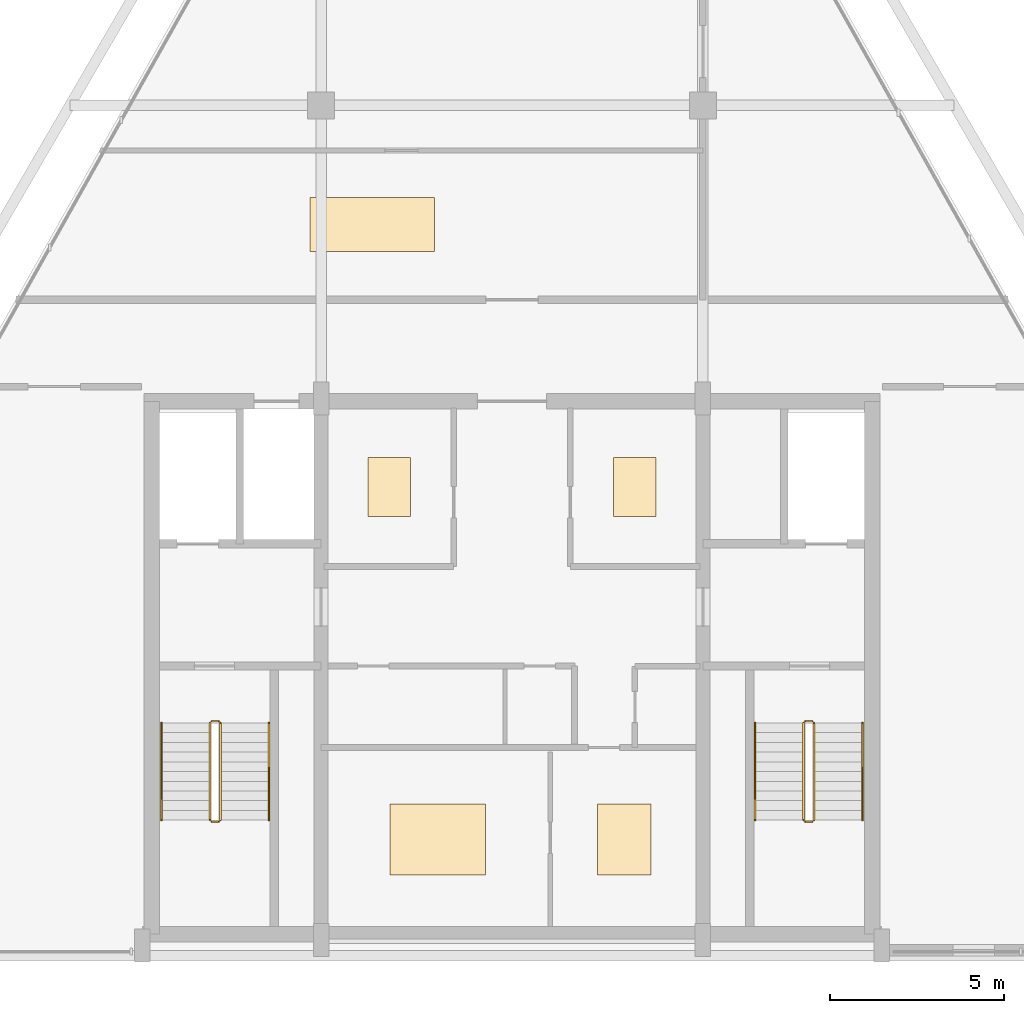
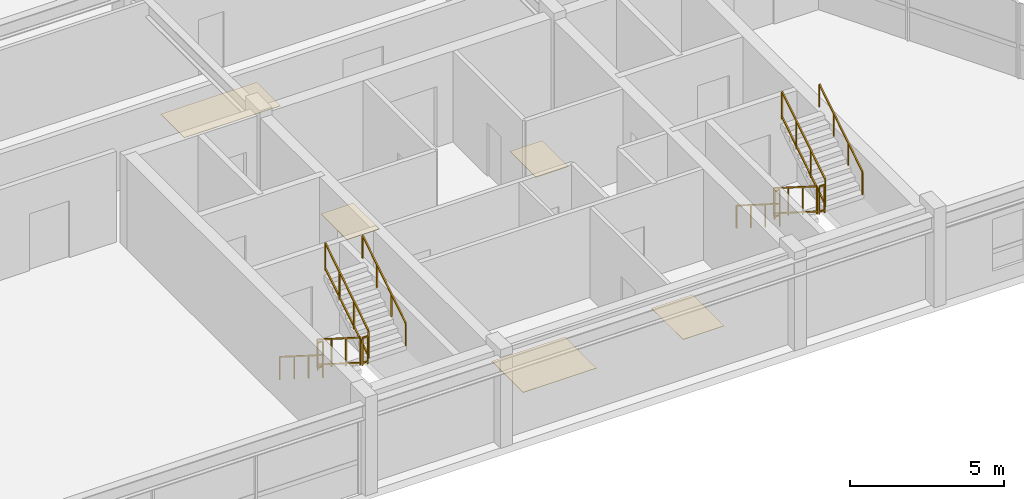
# One storey, part 12 of 12: 12 railings, 5 coverings.
"""IFC4 building model written with IfcOpenShell, lengths in metres."""

from ifc_helpers import new_model, si_unit, direction, frame, origin, origin_2d, place, context, subcontext, project, spatial, rectangle, extrude, source, transform, mapped, material, layer, layer_set, type_object, element, save


model = new_model("IFC4")

# Units and contexts
model_context = context("Model", 3, precision=1e-05, world=origin(), true_north=direction((0.0, 1.0)))
body_context = subcontext(model_context, "Body", "Model", "MODEL_VIEW")
ifc_project = project(units=[si_unit("LENGTHUNIT", "METRE"), si_unit("AREAUNIT", "SQUARE_METRE"), si_unit("VOLUMEUNIT", "CUBIC_METRE"), si_unit("PLANEANGLEUNIT", "RADIAN"), si_unit("MASSUNIT", "GRAM", prefix="KILO")], contexts=[model_context])

# Site, building, storey
site_placement = place(None, origin())
site = spatial("IfcSite", under=ifc_project, at=site_placement, CompositionType="ELEMENT")
building_placement = place(site_placement, origin())
building = spatial("IfcBuilding", under=site, at=building_placement, Name="Varnakhor Terracotta Tower", CompositionType="ELEMENT")
storey_placement = place(building_placement, frame((0.0, 0.0, 325.300048828125)))
storey = spatial("IfcBuildingStorey", under=building, at=storey_placement, Name="L85 Crown", CompositionType="ELEMENT", Elevation=325.300048828125)

# Railings
ifc_material_1 = material(Name="Painted Steel Stairwell Guardrail", Category="steel")
railing_type_1 = type_object("IfcRailingType", Name="RLG-STAIR-GUARD-1120", PredefinedType="GUARDRAIL", material=ifc_material_1)
railing_1_placement = place(storey_placement, frame((-8.699951171875, 6.7099609375, 0.17724609375)))
element("IfcRailing", 1, at=railing_1_placement, inside=storey, type_object=railing_type_1, Name="L85 Crown ST-1 stair guard 1", PredefinedType="GUARDRAIL", context=body_context, shape_type="SweptSolid", body=[
    extrude(rectangle(XDim=0.048095703125, YDim=0.048095703125, at=origin_2d()), frame((0.0, 0.0, 1.09619140625), z_axis=(0.0, -0.844908973607, 0.534910110503), x_axis=(1.0, 0.0, 0.0)), (0.0, 0.0, 1.0), 3.31396484375),
    extrude(rectangle(XDim=0.048095703125, YDim=0.048095703125, at=origin_2d()), frame((0.0, 0.0, 0.10009765625), z_axis=(0.0, -0.844908973607, 0.534910110503), x_axis=(1.0, 0.0, 0.0)), (0.0, 0.0, 1.0), 3.31396484375),
    extrude(rectangle(XDim=0.0419921875, YDim=0.0419921875, at=origin_2d()), origin(), (0.0, 0.0, 1.0), 1.072021484375),
    extrude(rectangle(XDim=0.0419921875, YDim=0.0419921875, at=origin_2d()), frame((0.0, -0.933349609375, 0.5908203125)), (0.0, 0.0, 1.0), 1.072021484375),
    extrude(rectangle(XDim=0.0419921875, YDim=0.0419921875, at=origin_2d()), frame((0.0, -1.86669921875, 1.181884765625)), (0.0, 0.0, 1.0), 1.072021484375),
    extrude(rectangle(XDim=0.0419921875, YDim=0.0419921875, at=origin_2d()), frame((0.0, -2.800048828125, 1.772705078125)), (0.0, 0.0, 1.0), 1.072021484375),
])
railing_2_placement = place(storey_placement, frame((-8.64990234375, 3.860107421875, 1.949951171875)))
element("IfcRailing", 2, at=railing_2_placement, inside=storey, type_object=railing_type_1, Name="L85 Crown ST-1 stair guard 2", PredefinedType="GUARDRAIL", context=body_context, shape_type="SweptSolid", body=[
    extrude(rectangle(XDim=0.048095703125, YDim=0.048095703125, at=origin_2d()), frame((0.0, 0.0, 1.09619140625), z_axis=(1.0, 0.0, 0.0), x_axis=(0.0, 1.0, 0.0)), (0.0, 0.0, 1.0), 0.199951171875),
    extrude(rectangle(XDim=0.048095703125, YDim=0.048095703125, at=origin_2d()), frame((0.0, 0.0, 0.10009765625), z_axis=(1.0, 0.0, 0.0), x_axis=(0.0, 1.0, 0.0)), (0.0, 0.0, 1.0), 0.199951171875),
    extrude(rectangle(XDim=0.0419921875, YDim=0.0419921875, at=origin_2d()), origin(), (0.0, 0.0, 1.0), 1.072021484375),
    extrude(rectangle(XDim=0.0419921875, YDim=0.0419921875, at=origin_2d()), frame((0.199951171875, 0.0, 0.0)), (0.0, 0.0, 1.0), 1.072021484375),
])
railing_3_placement = place(storey_placement, frame((-8.39990234375, 3.909912109375, 2.127197265625)))
element("IfcRailing", 3, at=railing_3_placement, inside=storey, type_object=railing_type_1, Name="L85 Crown ST-1 stair guard 3", PredefinedType="GUARDRAIL", context=body_context, shape_type="SweptSolid", body=[
    extrude(rectangle(XDim=0.048095703125, YDim=0.048095703125, at=origin_2d()), frame((0.0, 0.0, 1.09619140625), z_axis=(0.0, 0.844908973607, 0.534910110503), x_axis=(-1.0, 0.0, 0.0)), (0.0, 0.0, 1.0), 3.31396484375),
    extrude(rectangle(XDim=0.048095703125, YDim=0.048095703125, at=origin_2d()), frame((0.0, 0.0, 0.10009765625), z_axis=(0.0, 0.844908973607, 0.534910110503), x_axis=(-1.0, 0.0, 0.0)), (0.0, 0.0, 1.0), 3.31396484375),
    extrude(rectangle(XDim=0.0419921875, YDim=0.0419921875, at=origin_2d()), origin(), (0.0, 0.0, 1.0), 1.072021484375),
    extrude(rectangle(XDim=0.0419921875, YDim=0.0419921875, at=origin_2d()), frame((0.0, 0.933349609375, 0.5908203125)), (0.0, 0.0, 1.0), 1.072021484375),
    extrude(rectangle(XDim=0.0419921875, YDim=0.0419921875, at=origin_2d()), frame((0.0, 1.86669921875, 1.181884765625)), (0.0, 0.0, 1.0), 1.072021484375),
    extrude(rectangle(XDim=0.0419921875, YDim=0.0419921875, at=origin_2d()), frame((0.0, 2.800048828125, 1.772705078125)), (0.0, 0.0, 1.0), 1.072021484375),
])
railing_4_placement = place(storey_placement, frame((-8.64990234375, 6.760009765625, 0.0)))
element("IfcRailing", 4, at=railing_4_placement, inside=storey, type_object=railing_type_1, Name="L85 Crown ST-1 stair guard 4", PredefinedType="GUARDRAIL", context=body_context, shape_type="SweptSolid", body=[
    extrude(rectangle(XDim=0.048095703125, YDim=0.048095703125, at=origin_2d()), frame((0.0, 0.0, 1.09619140625), z_axis=(1.0, 0.0, 0.0), x_axis=(0.0, 1.0, 0.0)), (0.0, 0.0, 1.0), 0.199951171875),
    extrude(rectangle(XDim=0.048095703125, YDim=0.048095703125, at=origin_2d()), frame((0.0, 0.0, 0.10009765625), z_axis=(1.0, 0.0, 0.0), x_axis=(0.0, 1.0, 0.0)), (0.0, 0.0, 1.0), 0.199951171875),
    extrude(rectangle(XDim=0.0419921875, YDim=0.0419921875, at=origin_2d()), origin(), (0.0, 0.0, 1.0), 1.072021484375),
    extrude(rectangle(XDim=0.0419921875, YDim=0.0419921875, at=origin_2d()), frame((0.199951171875, 0.0, 0.0)), (0.0, 0.0, 1.0), 1.072021484375),
])
railing_5_placement = place(storey_placement, frame((8.39990234375, 6.7099609375, 0.17724609375)))
element("IfcRailing", 5, at=railing_5_placement, inside=storey, type_object=railing_type_1, Name="L85 Crown ST-2 stair guard 1", PredefinedType="GUARDRAIL", context=body_context, shape_type="SweptSolid", body=[
    extrude(rectangle(XDim=0.048095703125, YDim=0.048095703125, at=origin_2d()), frame((0.0, 0.0, 1.09619140625), z_axis=(0.0, -0.844908973607, 0.534910110503), x_axis=(1.0, 0.0, 0.0)), (0.0, 0.0, 1.0), 3.31396484375),
    extrude(rectangle(XDim=0.048095703125, YDim=0.048095703125, at=origin_2d()), frame((0.0, 0.0, 0.10009765625), z_axis=(0.0, -0.844908973607, 0.534910110503), x_axis=(1.0, 0.0, 0.0)), (0.0, 0.0, 1.0), 3.31396484375),
    extrude(rectangle(XDim=0.0419921875, YDim=0.0419921875, at=origin_2d()), origin(), (0.0, 0.0, 1.0), 1.072021484375),
    extrude(rectangle(XDim=0.0419921875, YDim=0.0419921875, at=origin_2d()), frame((0.0, -0.933349609375, 0.5908203125)), (0.0, 0.0, 1.0), 1.072021484375),
    extrude(rectangle(XDim=0.0419921875, YDim=0.0419921875, at=origin_2d()), frame((0.0, -1.86669921875, 1.181884765625)), (0.0, 0.0, 1.0), 1.072021484375),
    extrude(rectangle(XDim=0.0419921875, YDim=0.0419921875, at=origin_2d()), frame((0.0, -2.800048828125, 1.772705078125)), (0.0, 0.0, 1.0), 1.072021484375),
])
railing_6_placement = place(storey_placement, frame((8.449951171875, 3.860107421875, 1.949951171875)))
element("IfcRailing", 6, at=railing_6_placement, inside=storey, type_object=railing_type_1, Name="L85 Crown ST-2 stair guard 2", PredefinedType="GUARDRAIL", context=body_context, shape_type="SweptSolid", body=[
    extrude(rectangle(XDim=0.048095703125, YDim=0.048095703125, at=origin_2d()), frame((0.0, 0.0, 1.09619140625), z_axis=(1.0, 0.0, 0.0), x_axis=(0.0, 1.0, 0.0)), (0.0, 0.0, 1.0), 0.199951171875),
    extrude(rectangle(XDim=0.048095703125, YDim=0.048095703125, at=origin_2d()), frame((0.0, 0.0, 0.10009765625), z_axis=(1.0, 0.0, 0.0), x_axis=(0.0, 1.0, 0.0)), (0.0, 0.0, 1.0), 0.199951171875),
    extrude(rectangle(XDim=0.0419921875, YDim=0.0419921875, at=origin_2d()), origin(), (0.0, 0.0, 1.0), 1.072021484375),
    extrude(rectangle(XDim=0.0419921875, YDim=0.0419921875, at=origin_2d()), frame((0.199951171875, 0.0, 0.0)), (0.0, 0.0, 1.0), 1.072021484375),
])
railing_7_placement = place(storey_placement, frame((8.699951171875, 3.909912109375, 2.127197265625)))
element("IfcRailing", 7, at=railing_7_placement, inside=storey, type_object=railing_type_1, Name="L85 Crown ST-2 stair guard 3", PredefinedType="GUARDRAIL", context=body_context, shape_type="SweptSolid", body=[
    extrude(rectangle(XDim=0.048095703125, YDim=0.048095703125, at=origin_2d()), frame((0.0, 0.0, 1.09619140625), z_axis=(0.0, 0.844908973607, 0.534910110503), x_axis=(-1.0, 0.0, 0.0)), (0.0, 0.0, 1.0), 3.31396484375),
    extrude(rectangle(XDim=0.048095703125, YDim=0.048095703125, at=origin_2d()), frame((0.0, 0.0, 0.10009765625), z_axis=(0.0, 0.844908973607, 0.534910110503), x_axis=(-1.0, 0.0, 0.0)), (0.0, 0.0, 1.0), 3.31396484375),
    extrude(rectangle(XDim=0.0419921875, YDim=0.0419921875, at=origin_2d()), origin(), (0.0, 0.0, 1.0), 1.072021484375),
    extrude(rectangle(XDim=0.0419921875, YDim=0.0419921875, at=origin_2d()), frame((0.0, 0.933349609375, 0.5908203125)), (0.0, 0.0, 1.0), 1.072021484375),
    extrude(rectangle(XDim=0.0419921875, YDim=0.0419921875, at=origin_2d()), frame((0.0, 1.86669921875, 1.181884765625)), (0.0, 0.0, 1.0), 1.072021484375),
    extrude(rectangle(XDim=0.0419921875, YDim=0.0419921875, at=origin_2d()), frame((0.0, 2.800048828125, 1.772705078125)), (0.0, 0.0, 1.0), 1.072021484375),
])
railing_8_placement = place(storey_placement, frame((8.449951171875, 6.760009765625, 0.0)))
element("IfcRailing", 8, at=railing_8_placement, inside=storey, type_object=railing_type_1, Name="L85 Crown ST-2 stair guard 4", PredefinedType="GUARDRAIL", context=body_context, shape_type="SweptSolid", body=[
    extrude(rectangle(XDim=0.048095703125, YDim=0.048095703125, at=origin_2d()), frame((0.0, 0.0, 1.09619140625), z_axis=(1.0, 0.0, 0.0), x_axis=(0.0, 1.0, 0.0)), (0.0, 0.0, 1.0), 0.199951171875),
    extrude(rectangle(XDim=0.048095703125, YDim=0.048095703125, at=origin_2d()), frame((0.0, 0.0, 0.10009765625), z_axis=(1.0, 0.0, 0.0), x_axis=(0.0, 1.0, 0.0)), (0.0, 0.0, 1.0), 0.199951171875),
    extrude(rectangle(XDim=0.0419921875, YDim=0.0419921875, at=origin_2d()), origin(), (0.0, 0.0, 1.0), 1.072021484375),
    extrude(rectangle(XDim=0.0419921875, YDim=0.0419921875, at=origin_2d()), frame((0.199951171875, 0.0, 0.0)), (0.0, 0.0, 1.0), 1.072021484375),
])
ifc_material_2 = material(Name="Brushed Stainless Steel Handrail", Category="steel")
railing_type_2 = type_object("IfcRailingType", Name="RLG-STAIR-HANDRAIL-920", PredefinedType="HANDRAIL", material=ifc_material_2)
railing_9_placement = place(storey_placement, frame((-10.10009765625, 6.7099609375, 0.17724609375)))
element("IfcRailing", 9, at=railing_9_placement, inside=storey, type_object=railing_type_2, Name="L85 Crown ST-1 stair handrail 1", PredefinedType="HANDRAIL", context=body_context, shape_type="SweptSolid", body=[
    extrude(rectangle(XDim=0.048095703125, YDim=0.048095703125, at=origin_2d()), frame((0.0, 0.0, 0.89599609375), z_axis=(0.0, -0.844908973607, 0.534910110503), x_axis=(1.0, 0.0, 0.0)), (0.0, 0.0, 1.0), 3.31396484375),
    extrude(rectangle(XDim=0.0419921875, YDim=0.0419921875, at=origin_2d()), origin(), (0.0, 0.0, 1.0), 0.871826171875),
    extrude(rectangle(XDim=0.0419921875, YDim=0.0419921875, at=origin_2d()), frame((0.0, -0.933349609375, 0.5908203125)), (0.0, 0.0, 1.0), 0.871826171875),
    extrude(rectangle(XDim=0.0419921875, YDim=0.0419921875, at=origin_2d()), frame((0.0, -1.86669921875, 1.181884765625)), (0.0, 0.0, 1.0), 0.871826171875),
    extrude(rectangle(XDim=0.0419921875, YDim=0.0419921875, at=origin_2d()), frame((0.0, -2.800048828125, 1.772705078125)), (0.0, 0.0, 1.0), 0.871826171875),
])
railing_10_placement = place(storey_placement, frame((-7.0, 3.909912109375, 2.127197265625)))
element("IfcRailing", 10, at=railing_10_placement, inside=storey, type_object=railing_type_2, Name="L85 Crown ST-1 stair handrail 2", PredefinedType="HANDRAIL", context=body_context, shape_type="SweptSolid", body=[
    extrude(rectangle(XDim=0.048095703125, YDim=0.048095703125, at=origin_2d()), frame((0.0, 0.0, 0.89599609375), z_axis=(0.0, 0.844908973607, 0.534910110503), x_axis=(-1.0, 0.0, 0.0)), (0.0, 0.0, 1.0), 3.31396484375),
    extrude(rectangle(XDim=0.0419921875, YDim=0.0419921875, at=origin_2d()), origin(), (0.0, 0.0, 1.0), 0.871826171875),
    extrude(rectangle(XDim=0.0419921875, YDim=0.0419921875, at=origin_2d()), frame((0.0, 0.933349609375, 0.5908203125)), (0.0, 0.0, 1.0), 0.871826171875),
    extrude(rectangle(XDim=0.0419921875, YDim=0.0419921875, at=origin_2d()), frame((0.0, 1.86669921875, 1.181884765625)), (0.0, 0.0, 1.0), 0.871826171875),
    extrude(rectangle(XDim=0.0419921875, YDim=0.0419921875, at=origin_2d()), frame((0.0, 2.800048828125, 1.772705078125)), (0.0, 0.0, 1.0), 0.871826171875),
])
railing_11_placement = place(storey_placement, frame((7.0, 6.7099609375, 0.17724609375)))
element("IfcRailing", 11, at=railing_11_placement, inside=storey, type_object=railing_type_2, Name="L85 Crown ST-2 stair handrail 1", PredefinedType="HANDRAIL", context=body_context, shape_type="SweptSolid", body=[
    extrude(rectangle(XDim=0.048095703125, YDim=0.048095703125, at=origin_2d()), frame((0.0, 0.0, 0.89599609375), z_axis=(0.0, -0.844908973607, 0.534910110503), x_axis=(1.0, 0.0, 0.0)), (0.0, 0.0, 1.0), 3.31396484375),
    extrude(rectangle(XDim=0.0419921875, YDim=0.0419921875, at=origin_2d()), origin(), (0.0, 0.0, 1.0), 0.871826171875),
    extrude(rectangle(XDim=0.0419921875, YDim=0.0419921875, at=origin_2d()), frame((0.0, -0.933349609375, 0.5908203125)), (0.0, 0.0, 1.0), 0.871826171875),
    extrude(rectangle(XDim=0.0419921875, YDim=0.0419921875, at=origin_2d()), frame((0.0, -1.86669921875, 1.181884765625)), (0.0, 0.0, 1.0), 0.871826171875),
    extrude(rectangle(XDim=0.0419921875, YDim=0.0419921875, at=origin_2d()), frame((0.0, -2.800048828125, 1.772705078125)), (0.0, 0.0, 1.0), 0.871826171875),
])
railing_12_placement = place(storey_placement, frame((10.10009765625, 3.909912109375, 2.127197265625)))
element("IfcRailing", 12, at=railing_12_placement, inside=storey, type_object=railing_type_2, Name="L85 Crown ST-2 stair handrail 2", PredefinedType="HANDRAIL", context=body_context, shape_type="SweptSolid", body=[
    extrude(rectangle(XDim=0.048095703125, YDim=0.048095703125, at=origin_2d()), frame((0.0, 0.0, 0.89599609375), z_axis=(0.0, 0.844908973607, 0.534910110503), x_axis=(-1.0, 0.0, 0.0)), (0.0, 0.0, 1.0), 3.31396484375),
    extrude(rectangle(XDim=0.0419921875, YDim=0.0419921875, at=origin_2d()), origin(), (0.0, 0.0, 1.0), 0.871826171875),
    extrude(rectangle(XDim=0.0419921875, YDim=0.0419921875, at=origin_2d()), frame((0.0, 0.933349609375, 0.5908203125)), (0.0, 0.0, 1.0), 0.871826171875),
    extrude(rectangle(XDim=0.0419921875, YDim=0.0419921875, at=origin_2d()), frame((0.0, 1.86669921875, 1.181884765625)), (0.0, 0.0, 1.0), 0.871826171875),
    extrude(rectangle(XDim=0.0419921875, YDim=0.0419921875, at=origin_2d()), frame((0.0, 2.800048828125, 1.772705078125)), (0.0, 0.0, 1.0), 0.871826171875),
])

# Coverings
ifc_material_3 = material(Name="Insulated Elastomeric Waterproof Roofing Membrane", Category="other")
ifc_layer = layer(ifc_material_3, 0.034912109375, Name="Insulated Elastomeric Waterproof Roofing Membrane")
ifc_layer_set = layer_set([ifc_layer], Name="Insulated Elastomeric Waterproof Roofing Membrane")
covering_type = type_object("IfcCoveringType", Name="COV-ROOF-MEMBRANE", PredefinedType="ROOFING", material=ifc_layer_set)
shared_shape_1 = source(origin(), body_context, "Body", "SweptSolid", [
    extrude(rectangle(XDim=2.75, YDim=2.041015625, at=origin_2d()), origin(), (0.0, 0.0, 1.0), 0.014892578125),
])
covering_1_placement = place(storey_placement, frame((-2.139892578125, 3.35498046875, 0.0), z_axis=(0.0, 0.0, 1.0), x_axis=(1.0, 0.0, 0.0)))
element("IfcCovering", 13, at=covering_1_placement, inside=storey, type_object=covering_type, Name="L85 Crown Waterproof Plant Membrane 1", PredefinedType="ROOFING", context=body_context, shape_type="MappedRepresentation", body=[
    mapped(shared_shape_1, transform((0.0, 0.0, 0.0), scale=1.0)),
])
shared_shape_2 = source(origin(), body_context, "Body", "SweptSolid", [
    extrude(rectangle(XDim=1.5400390625, YDim=2.041015625, at=origin_2d()), origin(), (0.0, 0.0, 1.0), 0.014892578125),
])
covering_2_placement = place(storey_placement, frame((3.239990234375, 3.35498046875, 0.0), z_axis=(0.0, 0.0, 1.0), x_axis=(1.0, 0.0, 0.0)))
element("IfcCovering", 14, at=covering_2_placement, inside=storey, type_object=covering_type, Name="L85 Crown Waterproof Plant Membrane 2", PredefinedType="ROOFING", context=body_context, shape_type="MappedRepresentation", body=[
    mapped(shared_shape_2, transform((0.0, 0.0, 0.0), scale=1.0)),
])
shared_shape_3 = source(origin(), body_context, "Body", "SweptSolid", [
    extrude(rectangle(XDim=1.215087890625, YDim=1.694091796875, at=origin_2d()), origin(), (0.0, 0.0, 1.0), 0.014892578125),
])
for number, where, z_axis, x_axis, name in (
    (15, (-3.534912109375, 13.510009765625, 0.0), (0.0, 0.0, 1.0), (1.0, 0.0, 0.0), "L85 Crown Waterproof Plant Membrane 3"),
    (16, (3.534912109375, 13.510009765625, 0.0), (0.0, 0.0, 1.0), (1.0, 0.0, 0.0), "L85 Crown Waterproof Plant Membrane 4"),
):
    element("IfcCovering", number, at=place(storey_placement, frame(where, z_axis=z_axis, x_axis=x_axis)), inside=storey, type_object=covering_type, Name=name, PredefinedType="ROOFING", context=body_context, shape_type="MappedRepresentation", body=[
        mapped(shared_shape_3, transform((0.0, 0.0, 0.0), scale=1.0)),
    ])
shared_shape_4 = source(origin(), body_context, "Body", "SweptSolid", [
    extrude(rectangle(XDim=3.60009765625, YDim=1.5439453125, at=origin_2d()), origin(), (0.0, 0.0, 1.0), 0.014892578125),
])
covering_3_placement = place(storey_placement, frame((-4.02587890625, 21.070068359375, 0.0), z_axis=(0.0, 0.0, 1.0), x_axis=(1.0, 0.0, 0.0)))
element("IfcCovering", 17, at=covering_3_placement, inside=storey, type_object=covering_type, Name="L85 Crown Waterproof Plant Membrane 5", PredefinedType="ROOFING", context=body_context, shape_type="MappedRepresentation", body=[
    mapped(shared_shape_4, transform((0.0, 0.0, 0.0), scale=1.0)),
])

save(model, "model.ifc")
